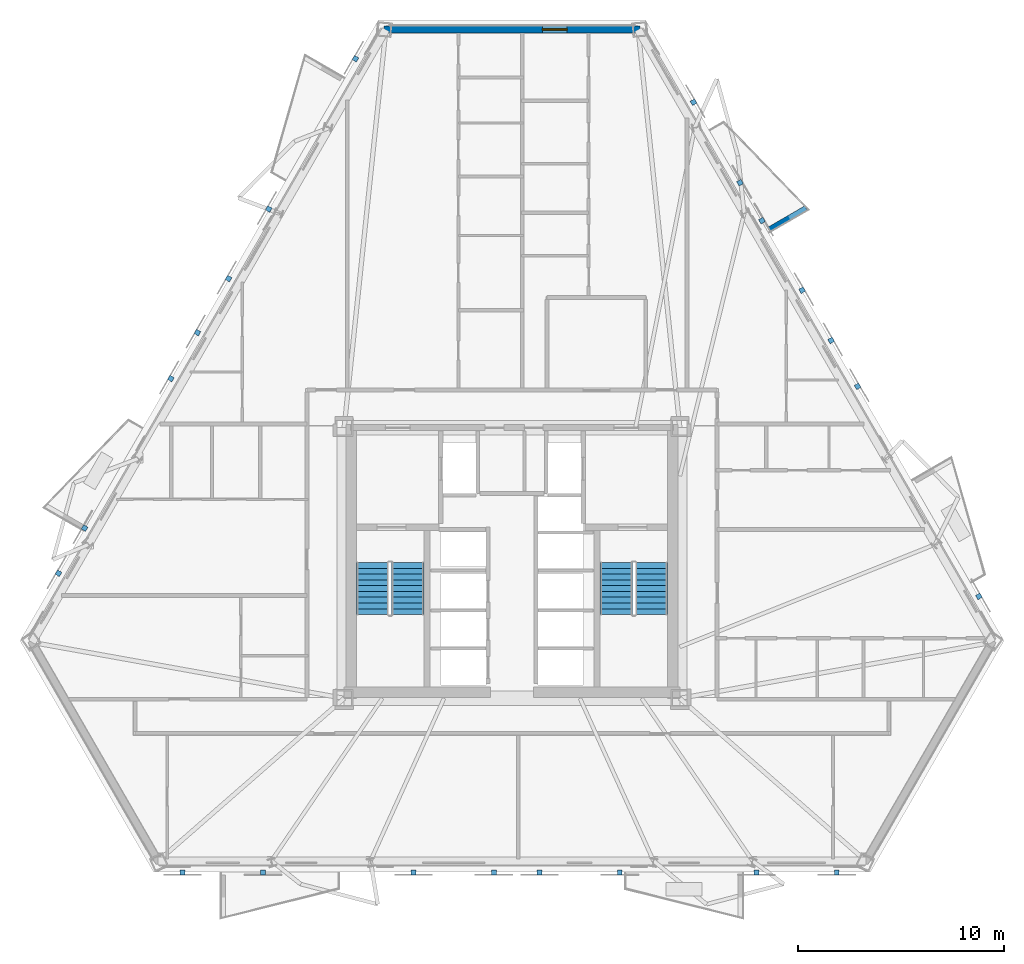
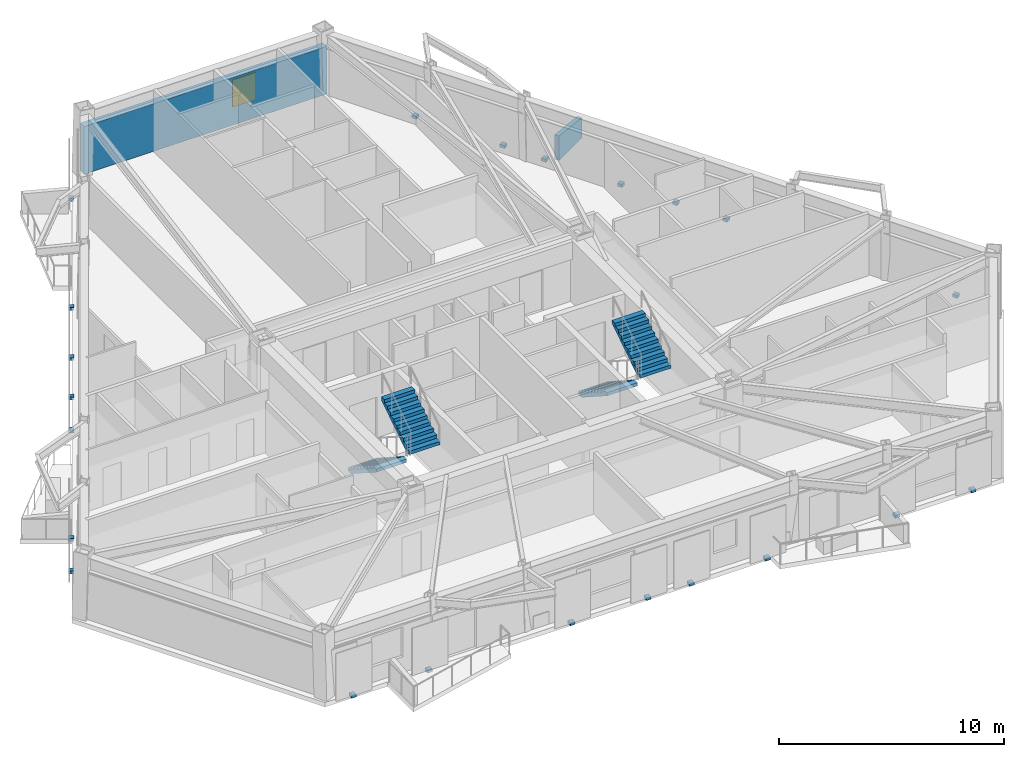
# One storey, part 7 of 11: 22 discrete accessories, 4 stair flights, 2 walls, 1 window, 1 opening, 2 elements without a shape of their own.
"""IFC4 building model written with IfcOpenShell, lengths in metres."""

from ifc_helpers import new_model, si_unit, direction, frame, frame_2d, origin, origin_2d, place, context, subcontext, project, spatial, polyline, rectangle, outline, extrude, material, layer, layer_set, type_object, element, fill, aggregate, save


model = new_model("IFC4")

# Units and contexts
model_context = context("Model", 3, precision=1e-05, world=origin(), true_north=direction((0.0, 1.0)))
body_context = subcontext(model_context, "Body", "Model", "MODEL_VIEW")
ifc_project = project(units=[si_unit("LENGTHUNIT", "METRE"), si_unit("AREAUNIT", "SQUARE_METRE"), si_unit("VOLUMEUNIT", "CUBIC_METRE"), si_unit("PLANEANGLEUNIT", "RADIAN"), si_unit("MASSUNIT", "GRAM", prefix="KILO")], contexts=[model_context])

# Site, building, storey
site_placement = place(None, origin())
site = spatial("IfcSite", under=ifc_project, at=site_placement, CompositionType="ELEMENT")
building_placement = place(site_placement, origin())
building = spatial("IfcBuilding", under=site, at=building_placement, Name="Oramaril Tower", CompositionType="ELEMENT")
storey_placement = place(building_placement, frame((0.0, 0.0, 89.699951171875)))
storey = spatial("IfcBuildingStorey", under=building, at=storey_placement, Name="L23", CompositionType="ELEMENT", Elevation=89.699951171875)

# Wall, opening, window
ifc_material_1 = material(Name="Warm Cream Limestone", Category="masonry")
ifc_layer_1 = layer(ifc_material_1, 0.340087890625)
ifc_layer_set_1 = layer_set([ifc_layer_1], Name="WT-EXT34")
wall_type_1 = type_object("IfcWallType", Name="WT-EXT34", PredefinedType="SOLIDWALL", material=ifc_layer_set_1)
wall_1_placement = place(storey_placement, frame((43.722412109375, 43.48095703125, 0.0), z_axis=(0.0, 0.0, 1.0), x_axis=(-1.0, 0.0, 0.0)))
wall_1 = element("IfcWall", 1, at=wall_1_placement, inside=storey, type_object=wall_type_1, Name="L23 Tower Limestone Facade Wall 5M", PredefinedType="SOLIDWALL", context=body_context, shape_type="SweptSolid", body=[
    extrude(rectangle(XDim=12.44482421875, YDim=0.340087890625, at=frame_2d((6.222412109375, 0.0))), origin(), (0.0, 0.0, 1.0), 2.578125),
])
opening_placement = place(wall_1_placement, frame((3.549072265625, 0.0, 0.85009765625)))
opening = element("IfcOpeningElement", 2, at=opening_placement, cuts=wall_1, Name="Opening WN-09", PredefinedType="OPENING", context=body_context, shape_type="SweptSolid", body=[
    extrude(rectangle(XDim=1.199951171875, YDim=1.47998046875, at=frame_2d((0.60009765625, 0.739990234375))), frame((0.0, 0.169921875, 0.0), z_axis=(0.0, -1.0, 0.0), x_axis=(1.0, 0.0, 0.0)), (0.0, 0.0, 1.0), 0.340087890625),
])
ifc_material_2 = material(Name="Coastal Low-E Insulated Glass", Category="glass")
window_type = type_object("IfcWindowType", Name="WNT-09", PartitioningType="SINGLE_PANEL", PredefinedType="WINDOW", material=ifc_material_2)
window_placement = place(opening_placement, origin())
window = element("IfcWindow", 3, at=window_placement, inside=storey, type_object=window_type, Name="L23 Apartment Bedroom Window WN-09", OverallHeight=1.47998046875, OverallWidth=1.199951171875, PartitioningType="SINGLE_PANEL", PredefinedType="WINDOW", context=body_context, shape_type="SweptSolid", body=[
    extrude(rectangle(XDim=1.199951171875, YDim=1.47998046875, at=frame_2d((0.60009765625, 0.739990234375))), frame((0.0, 0.030029296875, 0.0), z_axis=(0.0, -1.0, 0.0), x_axis=(1.0, 0.0, 0.0)), (0.0, 0.0, 1.0), 0.06005859375),
])
fill(opening, window)

# Wall
ifc_material_3 = material(Name="Concrete C40/50", Category="concrete")
ifc_layer_2 = layer(ifc_material_3, 0.22998046875)
ifc_layer_set_2 = layer_set([ifc_layer_2], Name="WT-PRP23")
wall_type_2 = type_object("IfcWallType", Name="WT-PRP23", PredefinedType="PARAPET", material=ifc_layer_set_2)
wall_2_placement = place(storey_placement, frame((50.005126953125, 33.795166015625, 0.0), z_axis=(0.0, 0.0, 1.0), x_axis=(0.866012356593, 0.500022597718, 0.0)))
element("IfcWall", 4, at=wall_2_placement, inside=storey, type_object=wall_type_2, Name="L23 Trapezoidal Balcony Frame Cheek L23-BAL-NE2-L", PredefinedType="PARAPET", context=body_context, shape_type="SweptSolid", body=[
    extrude(outline(polyline([(0.0, 0.0), (2.0419921875, 0.0), (2.0419921875, 1.10009765625), (0.0, 1.320068359375), (0.0, 0.0)])), frame((0.0, 0.114990234375, 0.0), z_axis=(0.0, -1.0, 0.0), x_axis=(1.0, 0.0, 0.0)), (0.0, 0.0, 1.0), 0.22998046875),
])

# Stair, stair flights
ifc_material_4 = material(Name="Concrete C50/60", Category="concrete")
stair_type = type_object("IfcStairType", Name="STT-DG-3600", PredefinedType="HALF_TURN_STAIR", material=ifc_material_4)
stair_1_placement = place(storey_placement, origin())
stair_1 = element("IfcStair", 5, at=stair_1_placement, inside=storey, type_object=stair_type, Name="L23 Protected PFP Exit Stair ST-1", PredefinedType="HALF_TURN_STAIR")
ifc_material_5 = material(Name="Concrete C50/60", Category="concrete")
stair_flight_type = type_object("IfcStairFlightType", Name="SFT-DG-3600", PredefinedType="STRAIGHT", material=ifc_material_5)
stair_flight_1_placement = place(storey_placement, frame((30.72998046875, 17.590087890625, 0.0), z_axis=(0.0, 0.0, 1.0), x_axis=(0.0, -1.0, 0.0)))
stair_flight_1 = element("IfcStairFlight", 6, at=stair_flight_1_placement, type_object=stair_flight_type, Name="ST-1 flight 1", NumberOfRisers=10, NumberOfTreads=9, PredefinedType="STRAIGHT", RiserHeight=0.18, TreadLength=0.28, context=body_context, shape_type="SweptSolid", body=[
    extrude(outline(polyline([(0.0, 0.0), (0.0, 0.179931640625), (0.280029296875, 0.179931640625), (0.280029296875, 0.360107421875), (0.56005859375, 0.360107421875), (0.56005859375, 0.5400390625), (0.840087890625, 0.5400390625), (0.840087890625, 0.719970703125), (1.1201171875, 0.719970703125), (1.1201171875, 0.89990234375), (1.39990234375, 0.89990234375), (1.39990234375, 1.080078125), (1.679931640625, 1.080078125), (1.679931640625, 1.260009765625), (1.9599609375, 1.260009765625), (1.9599609375, 1.43994140625), (2.239990234375, 1.43994140625), (2.239990234375, 1.6201171875), (2.52001953125, 1.6201171875), (2.52001953125, 1.800048828125), (2.52001953125, 1.44189453125), (0.277099609375, 0.0), (0.0, 0.0)])), frame((0.0, 0.780029296875, 0.0), z_axis=(0.0, -1.0, 0.0), x_axis=(1.0, 0.0, 0.0)), (0.0, 0.0, 1.0), 1.56005859375),
])
stair_flight_2_placement = place(storey_placement, frame((32.43994140625, 15.070068359375, 1.800048828125), z_axis=(0.0, 0.0, 1.0), x_axis=(0.0, 1.0, 0.0)))
stair_flight_2 = element("IfcStairFlight", 7, at=stair_flight_2_placement, type_object=stair_flight_type, Name="ST-1 flight 2", NumberOfRisers=10, NumberOfTreads=9, PredefinedType="STRAIGHT", RiserHeight=0.18, TreadLength=0.28, context=body_context, shape_type="SweptSolid", body=[
    extrude(outline(polyline([(0.0, 0.0), (0.0, 0.179931640625), (0.280029296875, 0.179931640625), (0.280029296875, 0.360107421875), (0.56005859375, 0.360107421875), (0.56005859375, 0.5400390625), (0.840087890625, 0.5400390625), (0.840087890625, 0.719970703125), (1.1201171875, 0.719970703125), (1.1201171875, 0.89990234375), (1.39990234375, 0.89990234375), (1.39990234375, 1.080078125), (1.679931640625, 1.080078125), (1.679931640625, 1.260009765625), (1.9599609375, 1.260009765625), (1.9599609375, 1.43994140625), (2.239990234375, 1.43994140625), (2.239990234375, 1.6201171875), (2.52001953125, 1.6201171875), (2.52001953125, 1.800048828125), (2.52001953125, 1.44189453125), (0.277099609375, 0.0), (0.0, 0.0)])), frame((0.0, 0.780029296875, 0.0), z_axis=(0.0, -1.0, 0.0), x_axis=(1.0, 0.0, 0.0)), (0.0, 0.0, 1.0), 1.56005859375),
])
aggregate(stair_1, [stair_flight_1, stair_flight_2])

stair_2_placement = place(storey_placement, origin())
stair_2 = element("IfcStair", 8, at=stair_2_placement, inside=storey, type_object=stair_type, Name="L23 Protected PFP Exit Stair ST-2", PredefinedType="HALF_TURN_STAIR")
stair_flight_3_placement = place(storey_placement, frame((42.56005859375, 17.590087890625, 0.0), z_axis=(0.0, 0.0, 1.0), x_axis=(0.0, -1.0, 0.0)))
stair_flight_3 = element("IfcStairFlight", 9, at=stair_flight_3_placement, type_object=stair_flight_type, Name="ST-2 flight 1", NumberOfRisers=10, NumberOfTreads=9, PredefinedType="STRAIGHT", RiserHeight=0.18, TreadLength=0.28, context=body_context, shape_type="SweptSolid", body=[
    extrude(outline(polyline([(0.0, 0.0), (0.0, 0.179931640625), (0.280029296875, 0.179931640625), (0.280029296875, 0.360107421875), (0.56005859375, 0.360107421875), (0.56005859375, 0.5400390625), (0.840087890625, 0.5400390625), (0.840087890625, 0.719970703125), (1.1201171875, 0.719970703125), (1.1201171875, 0.89990234375), (1.39990234375, 0.89990234375), (1.39990234375, 1.080078125), (1.679931640625, 1.080078125), (1.679931640625, 1.260009765625), (1.9599609375, 1.260009765625), (1.9599609375, 1.43994140625), (2.239990234375, 1.43994140625), (2.239990234375, 1.6201171875), (2.52001953125, 1.6201171875), (2.52001953125, 1.800048828125), (2.52001953125, 1.44189453125), (0.277099609375, 0.0), (0.0, 0.0)])), frame((0.0, 0.780029296875, 0.0), z_axis=(0.0, -1.0, 0.0), x_axis=(1.0, 0.0, 0.0)), (0.0, 0.0, 1.0), 1.56005859375),
])
stair_flight_4_placement = place(storey_placement, frame((44.27001953125, 15.070068359375, 1.800048828125), z_axis=(0.0, 0.0, 1.0), x_axis=(0.0, 1.0, 0.0)))
stair_flight_4 = element("IfcStairFlight", 10, at=stair_flight_4_placement, type_object=stair_flight_type, Name="ST-2 flight 2", NumberOfRisers=10, NumberOfTreads=9, PredefinedType="STRAIGHT", RiserHeight=0.18, TreadLength=0.28, context=body_context, shape_type="SweptSolid", body=[
    extrude(outline(polyline([(0.0, 0.0), (0.0, 0.179931640625), (0.280029296875, 0.179931640625), (0.280029296875, 0.360107421875), (0.56005859375, 0.360107421875), (0.56005859375, 0.5400390625), (0.840087890625, 0.5400390625), (0.840087890625, 0.719970703125), (1.1201171875, 0.719970703125), (1.1201171875, 0.89990234375), (1.39990234375, 0.89990234375), (1.39990234375, 1.080078125), (1.679931640625, 1.080078125), (1.679931640625, 1.260009765625), (1.9599609375, 1.260009765625), (1.9599609375, 1.43994140625), (2.239990234375, 1.43994140625), (2.239990234375, 1.6201171875), (2.52001953125, 1.6201171875), (2.52001953125, 1.800048828125), (2.52001953125, 1.44189453125), (0.277099609375, 0.0), (0.0, 0.0)])), frame((0.0, 0.780029296875, 0.0), z_axis=(0.0, -1.0, 0.0), x_axis=(1.0, 0.0, 0.0)), (0.0, 0.0, 1.0), 1.56005859375),
])
aggregate(stair_2, [stair_flight_3, stair_flight_4])

# Discrete accessories
for number, where, z_axis, x_axis, name in (
    (11, (21.505126953125, 2.54052734375, -0.14013671875), (0.0, 0.0, 1.0), (1.0, 0.0, 0.0), "L23 Solar Screen Slab Bracket"),
    (12, (25.405029296875, 2.54052734375, -0.14013671875), (0.0, 0.0, 1.0), (1.0, 0.0, 0.0), "L23 Solar Screen Slab Bracket"),
    (13, (32.71728515625, 2.54052734375, -0.14013671875), (0.0, 0.0, 1.0), (1.0, 0.0, 0.0), "L23 Solar Screen Slab Bracket"),
    (14, (36.6171875, 2.54052734375, -0.14013671875), (0.0, 0.0, 1.0), (1.0, 0.0, 0.0), "L23 Solar Screen Slab Bracket"),
    (15, (38.832763671875, 2.54052734375, -0.14013671875), (0.0, 0.0, 1.0), (1.0, 0.0, 0.0), "L23 Solar Screen Slab Bracket"),
    (16, (42.732666015625, 2.54052734375, -0.14013671875), (0.0, 0.0, 1.0), (1.0, 0.0, 0.0), "L23 Solar Screen Slab Bracket"),
    (17, (49.369873046875, 2.54052734375, -0.14013671875), (0.0, 0.0, 1.0), (1.0, 0.0, 0.0), "L23 Solar Screen Slab Bracket"),
    (18, (53.27001953125, 2.54052734375, -0.14013671875), (0.0, 0.0, 1.0), (1.0, 0.0, 0.0), "L23 Solar Screen Slab Bracket"),
    (19, (60.171875, 15.949951171875, -0.14013671875), (0.0, 0.0, 1.0), (-0.5, 0.866025403784, 0.0), "L23 Solar Screen Slab Bracket"),
    (20, (46.3154296875, 39.94970703125, -0.14013671875), (0.0, 0.0, 1.0), (-0.5, 0.866025403784, 0.0), "L23 Solar Screen Slab Bracket"),
    (21, (51.586669921875, 30.820068359375, -0.14013671875), (0.0, 0.0, 1.0), (-0.5, 0.866025403784, 0.0), "L23 Solar Screen Slab Bracket"),
    (22, (49.63671875, 34.197509765625, -0.14013671875), (0.0, 0.0, 1.0), (-0.5, 0.866025403784, 0.0), "L23 Solar Screen Slab Bracket"),
    (23, (48.57275390625, 36.0400390625, -0.14013671875), (0.0, 0.0, 1.0), (-0.5, 0.866025403784, 0.0), "L23 Solar Screen Slab Bracket"),
    (24, (54.28271484375, 26.150146484375, -0.14013671875), (0.0, 0.0, 1.0), (-0.5, 0.866025403784, 0.0), "L23 Solar Screen Slab Bracket"),
    (25, (52.9951171875, 28.380615234375, -0.14013671875), (0.0, 0.0, 1.0), (-0.5, 0.866025403784, 0.0), "L23 Solar Screen Slab Bracket"),
    (26, (15.47802734375, 17.075439453125, -0.14013671875), (0.0, 0.0, 1.0), (-0.5, -0.866025403784, 0.0), "L23 Solar Screen Slab Bracket"),
    (27, (16.744384765625, 19.268798828125, -0.14013671875), (0.0, 0.0, 1.0), (-0.5, -0.866025403784, 0.0), "L23 Solar Screen Slab Bracket"),
    (28, (25.6884765625, 34.760498046875, -0.14013671875), (0.0, 0.0, 1.0), (-0.5, -0.866025403784, 0.0), "L23 Solar Screen Slab Bracket"),
    (29, (23.73828125, 31.383056640625, -0.14013671875), (0.0, 0.0, 1.0), (-0.5, -0.866025403784, 0.0), "L23 Solar Screen Slab Bracket"),
    (30, (22.224609375, 28.760986328125, -0.14013671875), (0.0, 0.0, 1.0), (-0.5, -0.866025403784, 0.0), "L23 Solar Screen Slab Bracket"),
    (31, (20.936767578125, 26.530517578125, -0.14013671875), (0.0, 0.0, 1.0), (-0.5, -0.866025403784, 0.0), "L23 Solar Screen Slab Bracket"),
    (32, (29.90185546875, 42.058349609375, -0.14013671875), (0.0, 0.0, 1.0), (-0.5, -0.866025403784, 0.0), "L23 Solar Screen Slab Bracket"),
):
    element("IfcDiscreteAccessory", number, at=place(storey_placement, frame(where, z_axis=z_axis, x_axis=x_axis)), inside=storey, Name=name, PredefinedType="BRACKET", context=body_context, shape_type="SweptSolid", body=[
        extrude(rectangle(XDim=0.239990234375, YDim=0.239990234375, at=origin_2d()), origin(), (0.0, 0.0, 1.0), 0.159912109375),
    ])

save(model, "model.ifc")
